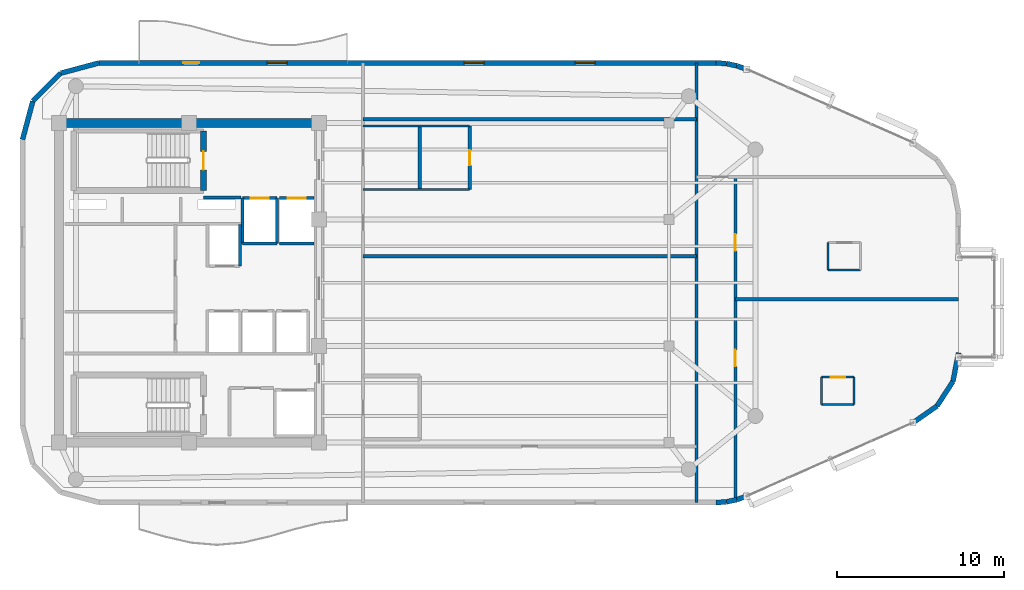
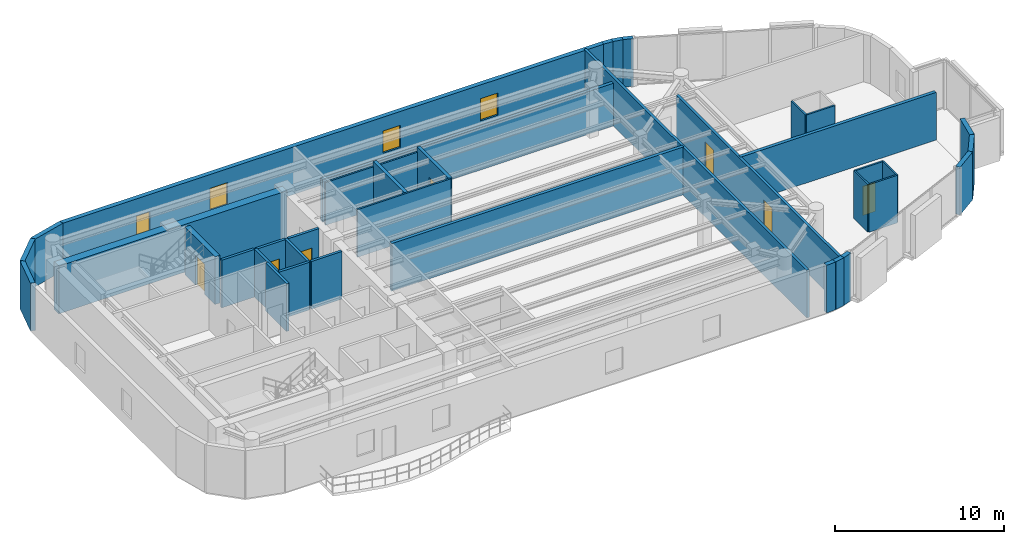
# One storey, part 10 of 13: 38 walls, 8 doors, 3 windows, 11 openings.
"""IFC4 building model written with IfcOpenShell, lengths in metres."""

from ifc_helpers import new_model, si_unit, direction, frame, frame_2d, origin, place, context, subcontext, project, spatial, rectangle, extrude, material, layer, layer_set, type_object, element, fill, save


model = new_model("IFC4")

# Units and contexts
model_context = context("Model", 3, precision=1e-05, world=origin(), true_north=direction((0.0, 1.0)))
body_context = subcontext(model_context, "Body", "Model", "MODEL_VIEW")
ifc_project = project(units=[si_unit("LENGTHUNIT", "METRE"), si_unit("AREAUNIT", "SQUARE_METRE"), si_unit("VOLUMEUNIT", "CUBIC_METRE"), si_unit("PLANEANGLEUNIT", "RADIAN"), si_unit("MASSUNIT", "GRAM", prefix="KILO")], contexts=[model_context])

# Site, building, storey
site_placement = place(None, origin())
site = spatial("IfcSite", under=ifc_project, at=site_placement, CompositionType="ELEMENT")
building_placement = place(site_placement, origin())
building = spatial("IfcBuilding", under=site, at=building_placement, Name="An Khanh Terracotta Commons", CompositionType="ELEMENT")
storey_placement = place(building_placement, frame((0.0, 0.0, 266.10009765625)))
storey = spatial("IfcBuildingStorey", under=building, at=storey_placement, Name="L69", CompositionType="ELEMENT", Elevation=266.10009765625)

# Walls
ifc_material_1 = material(Name="Concrete C50/60", Category="concrete")
ifc_layer_1 = layer(ifc_material_1, 0.550048828125, Name="Concrete C50/60")
ifc_layer_set_1 = layer_set([ifc_layer_1], Name="Concrete C50/60")
wall_type_1 = type_object("IfcWallType", Name="WALL-CORE-550", PredefinedType="SHEAR", material=ifc_layer_set_1)
wall_1_placement = place(storey_placement, frame((21.60009765625, 33.60009765625, 0.0), z_axis=(0.0, 0.0, 1.0), x_axis=(1.0, 0.0, 0.0)))
element("IfcWall", 1, at=wall_1_placement, inside=storey, type_object=wall_type_1, Name="L69 Core Wall CWALL-L69-N", PredefinedType="SHEAR", context=body_context, shape_type="SweptSolid", body=[
    extrude(rectangle(XDim=15.599853515625, YDim=0.550048828125, at=frame_2d((7.7998046875, 0.0))), origin(), (0.0, 0.0, 1.0), 3.449951171875),
])
ifc_material_2 = material(Name="Fire-Rated Gypsum Board on Steel Stud", Category="steel")
ifc_layer_2 = layer(ifc_material_2, 0.179931640625, Name="Fire-Rated Gypsum Board on Steel Stud")
ifc_layer_set_2 = layer_set([ifc_layer_2], Name="Fire-Rated Gypsum Board on Steel Stud")
wall_type_2 = type_object("IfcWallType", Name="WALL-CORR-180", PredefinedType="PARTITIONING", material=ifc_layer_set_2)
wall_2_placement = place(storey_placement, frame((30.27001953125, 29.1201171875, 0.0), z_axis=(0.0, 0.0, 1.0), x_axis=(1.0, 0.0, 0.0)))
element("IfcWall", 2, at=wall_2_placement, inside=storey, type_object=wall_type_2, Name="L69 Core Wall FFLW-L69-S", PredefinedType="PARTITIONING", context=body_context, shape_type="SweptSolid", body=[
    extrude(rectangle(XDim=2.239990234375, YDim=0.179931640625, at=frame_2d((1.1201171875, 0.0))), origin(), (0.0, 0.0, 1.0), 3.449951171875),
])

# Wall, opening, door
wall_3_placement = place(storey_placement, frame((32.60009765625, 29.080078125, 0.0), z_axis=(0.0, 0.0, 1.0), x_axis=(1.0, 0.0, 0.0)))
wall_3 = element("IfcWall", 3, at=wall_3_placement, inside=storey, type_object=wall_type_2, Name="L69 Core Wall LSH-L69-FFL-01-N", PredefinedType="PARTITIONING", context=body_context, shape_type="SweptSolid", body=[
    extrude(rectangle(XDim=2.079833984375, YDim=0.179931640625, at=frame_2d((1.0400390625, 0.0))), origin(), (0.0, 0.0, 1.0), 3.449951171875),
])
opening_1_placement = place(wall_3_placement, frame((0.489990234375, 0.0, 0.0)))
opening_1 = element("IfcOpeningElement", 4, at=opening_1_placement, cuts=wall_3, Name="Opening LD-FFL-01-L69", PredefinedType="OPENING", context=body_context, shape_type="SweptSolid", body=[
    extrude(rectangle(XDim=1.10009765625, YDim=2.199951171875, at=frame_2d((0.550048828125, 1.10009765625))), frame((0.0, 0.099853515625, 0.0), z_axis=(0.0, -1.0, 0.0), x_axis=(1.0, 0.0, 0.0)), (0.0, 0.0, 1.0), 0.199951171875),
])
ifc_material_3 = material(Name="Brushed Stainless Steel Fire Landing Door", Category="steel")
door_type_1 = type_object("IfcDoorType", Name="DOOR-LD-FFL-1100", OperationType="NOTDEFINED", PredefinedType="DOOR", material=ifc_material_3)
door_1_placement = place(opening_1_placement, origin())
door_1 = element("IfcDoor", 5, at=door_1_placement, inside=storey, type_object=door_type_1, Name="L69 Lift FFL-01 Sliding Landing Door", OperationType="DOUBLE_DOOR_SLIDING", OverallHeight=2.199951171875, OverallWidth=1.10009765625, PredefinedType="DOOR", context=body_context, shape_type="SweptSolid", body=[
    extrude(rectangle(XDim=1.10009765625, YDim=2.199951171875, at=frame_2d((0.550048828125, 1.10009765625))), frame((0.0, 0.02490234375, 0.0), z_axis=(0.0, -1.0, 0.0), x_axis=(1.0, 0.0, 0.0)), (0.0, 0.0, 1.0), 0.050048828125),
])
fill(opening_1, door_1)

# Walls
wall_4_placement = place(storey_placement, frame((34.679931640625, 26.35009765625, 0.0), z_axis=(0.0, 0.0, 1.0), x_axis=(-1.0, 0.0, 0.0)))
element("IfcWall", 6, at=wall_4_placement, inside=storey, type_object=wall_type_2, Name="L69 Core Wall LSH-L69-FFL-01-S", PredefinedType="PARTITIONING", context=body_context, shape_type="SweptSolid", body=[
    extrude(rectangle(XDim=2.079833984375, YDim=0.179931640625, at=frame_2d((1.0400390625, 0.0))), origin(), (0.0, 0.0, 1.0), 3.449951171875),
])
for number, where, z_axis, x_axis, name in (
    (7, (34.679931640625, 26.35009765625, 0.0), (0.0, 0.0, 1.0), (0.0, 1.0, 0.0), "L69 Core Wall LSH-L69-FFL-01-E"),
    (8, (32.60009765625, 29.080078125, 0.0), (0.0, 0.0, 1.0), (0.0, -1.0, 0.0), "L69 Core Wall LSH-L69-FFL-01-W"),
):
    element("IfcWall", number, at=place(storey_placement, frame(where, z_axis=z_axis, x_axis=x_axis)), inside=storey, type_object=wall_type_2, Name=name, PredefinedType="PARTITIONING", context=body_context, shape_type="SweptSolid", body=[
        extrude(rectangle(XDim=2.72998046875, YDim=0.179931640625, at=frame_2d((1.364990234375, 0.0))), origin(), (0.0, 0.0, 1.0), 3.449951171875),
    ])

# Wall, opening, door
wall_5_placement = place(storey_placement, frame((34.820068359375, 29.080078125, 0.0), z_axis=(0.0, 0.0, 1.0), x_axis=(1.0, 0.0, 0.0)))
wall_5 = element("IfcWall", 9, at=wall_5_placement, inside=storey, type_object=wall_type_2, Name="L69 Core Wall LSH-L69-FFL-02-N", PredefinedType="PARTITIONING", context=body_context, shape_type="SweptSolid", body=[
    extrude(rectangle(XDim=2.079833984375, YDim=0.179931640625, at=frame_2d((1.0400390625, 0.0))), origin(), (0.0, 0.0, 1.0), 3.449951171875),
])
opening_2_placement = place(wall_5_placement, frame((0.489990234375, 0.0, 0.0)))
opening_2 = element("IfcOpeningElement", 10, at=opening_2_placement, cuts=wall_5, Name="Opening LD-FFL-02-L69", PredefinedType="OPENING", context=body_context, shape_type="SweptSolid", body=[
    extrude(rectangle(XDim=1.10009765625, YDim=2.199951171875, at=frame_2d((0.550048828125, 1.10009765625))), frame((0.0, 0.099853515625, 0.0), z_axis=(0.0, -1.0, 0.0), x_axis=(1.0, 0.0, 0.0)), (0.0, 0.0, 1.0), 0.199951171875),
])
door_2_placement = place(opening_2_placement, origin())
door_2 = element("IfcDoor", 11, at=door_2_placement, inside=storey, type_object=door_type_1, Name="L69 Lift FFL-02 Sliding Landing Door", OperationType="DOUBLE_DOOR_SLIDING", OverallHeight=2.199951171875, OverallWidth=1.10009765625, PredefinedType="DOOR", context=body_context, shape_type="SweptSolid", body=[
    extrude(rectangle(XDim=1.10009765625, YDim=2.199951171875, at=frame_2d((0.550048828125, 1.10009765625))), frame((0.0, 0.02490234375, 0.0), z_axis=(0.0, -1.0, 0.0), x_axis=(1.0, 0.0, 0.0)), (0.0, 0.0, 1.0), 0.050048828125),
])
fill(opening_2, door_2)

# Walls
wall_6_placement = place(storey_placement, frame((36.89990234375, 26.35009765625, 0.0), z_axis=(0.0, 0.0, 1.0), x_axis=(-1.0, 0.0, 0.0)))
element("IfcWall", 12, at=wall_6_placement, inside=storey, type_object=wall_type_2, Name="L69 Core Wall LSH-L69-FFL-02-S", PredefinedType="PARTITIONING", context=body_context, shape_type="SweptSolid", body=[
    extrude(rectangle(XDim=2.079833984375, YDim=0.179931640625, at=frame_2d((1.0400390625, 0.0))), origin(), (0.0, 0.0, 1.0), 3.449951171875),
])
wall_7_placement = place(storey_placement, frame((32.4599609375, 25.0, 0.0), z_axis=(0.0, 0.0, 1.0), x_axis=(0.0, 1.0, 0.0)))
element("IfcWall", 13, at=wall_7_placement, inside=storey, type_object=wall_type_2, Name="L69 Core Wall LSH-L69-PL-H1-E", PredefinedType="PARTITIONING", context=body_context, shape_type="SweptSolid", body=[
    extrude(rectangle(XDim=2.5, YDim=0.179931640625, at=frame_2d((1.25, 0.0))), origin(), (0.0, 0.0, 1.0), 3.449951171875),
])
wall_8_placement = place(storey_placement, frame((59.85009765625, 10.800048828125, 0.0), z_axis=(0.0, 0.0, 1.0), x_axis=(0.0, 1.0, 0.0)))
element("IfcWall", 14, at=wall_8_placement, inside=storey, type_object=wall_type_2, Name="L69 Interior Partition IW-L69-E014", PredefinedType="PARTITIONING", context=body_context, shape_type="SweptSolid", body=[
    extrude(rectangle(XDim=26.39990234375, YDim=0.179931640625, at=frame_2d((13.199951171875, 0.0))), origin(), (0.0, 0.0, 1.0), 3.449951171875),
])

# Wall, openings, doors
wall_9_placement = place(storey_placement, frame((62.199951171875, 11.1201171875, 0.0), z_axis=(0.0, 0.0, 1.0), x_axis=(0.0, 1.0, 0.0)))
wall_9 = element("IfcWall", 15, at=wall_9_placement, inside=storey, type_object=wall_type_2, Name="L69 Interior Partition IW-L69-E015", PredefinedType="PARTITIONING", context=body_context, shape_type="SweptSolid", body=[
    extrude(rectangle(XDim=19.22998046875, YDim=0.179931640625, at=frame_2d((9.614990234375, 0.0))), origin(), (0.0, 0.0, 1.0), 3.449951171875),
])
opening_3_placement = place(wall_9_placement, frame((14.794921875, 0.0, 0.0)))
opening_3 = element("IfcOpeningElement", 16, at=opening_3_placement, cuts=wall_9, Name="Opening D-UN", PredefinedType="OPENING", context=body_context, shape_type="SweptSolid", body=[
    extrude(rectangle(XDim=1.0, YDim=2.14990234375, at=frame_2d((0.5, 1.074951171875))), frame((0.0, 0.099853515625, 0.0), z_axis=(0.0, -1.0, 0.0), x_axis=(1.0, 0.0, 0.0)), (0.0, 0.0, 1.0), 0.199951171875),
])
opening_4_placement = place(wall_9_placement, frame((7.85595703125, 0.0, 0.0)))
opening_4 = element("IfcOpeningElement", 17, at=opening_4_placement, cuts=wall_9, Name="Opening D-UN", PredefinedType="OPENING", context=body_context, shape_type="SweptSolid", body=[
    extrude(rectangle(XDim=1.0, YDim=2.14990234375, at=frame_2d((0.5, 1.074951171875))), frame((0.0, 0.099853515625, 0.0), z_axis=(0.0, -1.0, 0.0), x_axis=(1.0, 0.0, 0.0)), (0.0, 0.0, 1.0), 0.199951171875),
])
ifc_material_4 = material(Name="Solid-Core Hardwood Acoustic Fire Door", Category="wood")
door_type_2 = type_object("IfcDoorType", Name="DOOR-UNIT-1000", OperationType="NOTDEFINED", PredefinedType="DOOR", material=ifc_material_4)
door_3_placement = place(opening_3_placement, origin())
door_3 = element("IfcDoor", 18, at=door_3_placement, inside=storey, type_object=door_type_2, Name="L69 ENO1 Kitchenette and Studio Apartment Door", OperationType="SINGLE_SWING_RIGHT", OverallHeight=2.14990234375, OverallWidth=1.0, PredefinedType="DOOR", context=body_context, shape_type="SweptSolid", body=[
    extrude(rectangle(XDim=1.0, YDim=2.14990234375, at=frame_2d((0.5, 1.074951171875))), frame((0.0, 0.02490234375, 0.0), z_axis=(0.0, -1.0, 0.0), x_axis=(1.0, 0.0, 0.0)), (0.0, 0.0, 1.0), 0.050048828125),
])
fill(opening_3, door_3)
door_4_placement = place(opening_4_placement, origin())
door_4 = element("IfcDoor", 19, at=door_4_placement, inside=storey, type_object=door_type_2, Name="L69 ENO2 Kitchenette and Studio Apartment Door", OperationType="SINGLE_SWING_LEFT", OverallHeight=2.14990234375, OverallWidth=1.0, PredefinedType="DOOR", context=body_context, shape_type="SweptSolid", body=[
    extrude(rectangle(XDim=1.0, YDim=2.14990234375, at=frame_2d((0.5, 1.074951171875))), frame((0.0, 0.02490234375, 0.0), z_axis=(0.0, -1.0, 0.0), x_axis=(1.0, 0.0, 0.0)), (0.0, 0.0, 1.0), 0.050048828125),
])
fill(opening_4, door_4)

# Walls
ifc_material_5 = material(Name="Precast concrete C40/50", Category="concrete")
ifc_layer_3 = layer(ifc_material_5, 0.300048828125, Name="Precast concrete C40/50")
ifc_layer_set_3 = layer_set([ifc_layer_3], Name="Precast concrete C40/50")
wall_type_3 = type_object("IfcWallType", Name="WALL-EXT-300", PredefinedType="SOLIDWALL", material=ifc_layer_set_3)
wall_10_placement = place(storey_placement, frame((61.030029296875, 10.800048828125, 0.0), z_axis=(0.0, 0.0, 1.0), x_axis=(0.997613959688, 0.069039028352, 0.0)))
element("IfcWall", 20, at=wall_10_placement, inside=storey, type_object=wall_type_3, Name="L69 Insulated Terracotta Exterior Wall 5", PredefinedType="SOLIDWALL", context=body_context, shape_type="SweptSolid", body=[
    extrude(rectangle(XDim=0.636474609375, YDim=0.300048828125, at=frame_2d((0.318359375, 0.0))), origin(), (0.0, 0.0, 1.0), 3.449951171875),
])
wall_11_placement = place(storey_placement, frame((61.6650390625, 10.843994140625, 0.0), z_axis=(0.0, 0.0, 1.0), x_axis=(0.97857012251, 0.205913854149, 0.0)))
element("IfcWall", 21, at=wall_11_placement, inside=storey, type_object=wall_type_3, Name="L69 Insulated Terracotta Exterior Wall 6", PredefinedType="SOLIDWALL", context=body_context, shape_type="SweptSolid", body=[
    extrude(rectangle(XDim=0.63671875, YDim=0.300048828125, at=frame_2d((0.318359375, 0.0))), origin(), (0.0, 0.0, 1.0), 3.449951171875),
])
wall_12_placement = place(storey_placement, frame((62.2880859375, 10.97509765625, 0.0), z_axis=(0.0, 0.0, 1.0), x_axis=(0.94077491148, 0.339031806665, 0.0)))
element("IfcWall", 22, at=wall_12_placement, inside=storey, type_object=wall_type_3, Name="L69 Insulated Terracotta Exterior Wall 7", PredefinedType="SOLIDWALL", context=body_context, shape_type="SweptSolid", body=[
    extrude(rectangle(XDim=0.636474609375, YDim=0.300048828125, at=frame_2d((0.318359375, 0.0))), origin(), (0.0, 0.0, 1.0), 3.449951171875),
])
wall_13_placement = place(storey_placement, frame((72.85693359375, 15.590087890625, 0.0), z_axis=(0.0, 0.0, 1.0), x_axis=(0.821006966142, 0.570918174124, 0.0)))
element("IfcWall", 23, at=wall_13_placement, inside=storey, type_object=wall_type_3, Name="L69 Insulated Terracotta Exterior Wall 9", PredefinedType="SOLIDWALL", context=body_context, shape_type="SweptSolid", body=[
    extrude(rectangle(XDim=1.760009765625, YDim=0.300048828125, at=frame_2d((0.8798828125, 0.0))), origin(), (0.0, 0.0, 1.0), 3.449951171875),
])
for number, where, z_axis, x_axis, name in (
    (24, (74.302001953125, 16.594970703125, 0.0), (0.0, 0.0, 1.0), (0.545836224831, 0.837891887813, 0.0), "L69 Insulated Terracotta Exterior Wall 10"),
    (25, (75.262939453125, 18.070068359375, 0.0), (0.0, 0.0, 1.0), (0.1915005851, 0.981492499159, 0.0), "L69 Insulated Terracotta Exterior Wall 11"),
):
    element("IfcWall", number, at=place(storey_placement, frame(where, z_axis=z_axis, x_axis=x_axis)), inside=storey, type_object=wall_type_3, Name=name, PredefinedType="SOLIDWALL", context=body_context, shape_type="SweptSolid", body=[
        extrude(rectangle(XDim=1.760498046875, YDim=0.300048828125, at=frame_2d((0.88037109375, 0.0))), origin(), (0.0, 0.0, 1.0), 3.449951171875),
    ])
wall_14_placement = place(storey_placement, frame((62.886962890625, 36.80908203125, 0.0), z_axis=(0.0, 0.0, 1.0), x_axis=(-0.94077491148, 0.339031806665, 0.0)))
element("IfcWall", 26, at=wall_14_placement, inside=storey, type_object=wall_type_3, Name="L69 Insulated Terracotta Exterior Wall 17", PredefinedType="SOLIDWALL", context=body_context, shape_type="SweptSolid", body=[
    extrude(rectangle(XDim=0.636474609375, YDim=0.300048828125, at=frame_2d((0.318359375, 0.0))), origin(), (0.0, 0.0, 1.0), 3.449951171875),
])
wall_15_placement = place(storey_placement, frame((62.2880859375, 37.02490234375, 0.0), z_axis=(0.0, 0.0, 1.0), x_axis=(-0.97857012251, 0.205913854149, 0.0)))
element("IfcWall", 27, at=wall_15_placement, inside=storey, type_object=wall_type_3, Name="L69 Insulated Terracotta Exterior Wall 18", PredefinedType="SOLIDWALL", context=body_context, shape_type="SweptSolid", body=[
    extrude(rectangle(XDim=0.63671875, YDim=0.300048828125, at=frame_2d((0.318359375, 0.0))), origin(), (0.0, 0.0, 1.0), 3.449951171875),
])
wall_16_placement = place(storey_placement, frame((61.6650390625, 37.156005859375, 0.0), z_axis=(0.0, 0.0, 1.0), x_axis=(-0.997613959688, 0.069039028352, 0.0)))
element("IfcWall", 28, at=wall_16_placement, inside=storey, type_object=wall_type_3, Name="L69 Insulated Terracotta Exterior Wall 19", PredefinedType="SOLIDWALL", context=body_context, shape_type="SweptSolid", body=[
    extrude(rectangle(XDim=0.636474609375, YDim=0.300048828125, at=frame_2d((0.318359375, 0.0))), origin(), (0.0, 0.0, 1.0), 3.449951171875),
])

# Wall, openings, door, windows
wall_17_placement = place(storey_placement, frame((61.030029296875, 37.199951171875, 0.0), z_axis=(0.0, 0.0, 1.0), x_axis=(-1.0, 0.0, 0.0)))
wall_17 = element("IfcWall", 29, at=wall_17_placement, inside=storey, type_object=wall_type_3, Name="L69 Insulated Terracotta Exterior Wall 20", PredefinedType="SOLIDWALL", context=body_context, shape_type="SweptSolid", body=[
    extrude(rectangle(XDim=37.030029296875, YDim=0.300048828125, at=frame_2d((18.51513671875, 0.0))), origin(), (0.0, 0.0, 1.0), 3.449951171875),
])
opening_5_placement = place(wall_17_placement, frame((31.030029296875, 0.0, 0.0)))
opening_5 = element("IfcOpeningElement", 30, at=opening_5_placement, cuts=wall_17, Name="Opening D-BAL", PredefinedType="OPENING", context=body_context, shape_type="SweptSolid", body=[
    extrude(rectangle(XDim=0.949951171875, YDim=2.199951171875, at=frame_2d((0.47509765625, 1.10009765625))), frame((0.0, 0.159912109375, 0.0), z_axis=(0.0, -1.0, 0.0), x_axis=(1.0, 0.0, 0.0)), (0.0, 0.0, 1.0), 0.320068359375),
])
opening_6_placement = place(wall_17_placement, frame((7.2470703125, 0.0, 0.85009765625)))
opening_6 = element("IfcOpeningElement", 31, at=opening_6_placement, cuts=wall_17, Name="Opening W-05", PredefinedType="OPENING", context=body_context, shape_type="SweptSolid", body=[
    extrude(rectangle(XDim=1.199951171875, YDim=1.60009765625, at=frame_2d((0.60009765625, 0.800048828125))), frame((0.0, 0.159912109375, 0.0), z_axis=(0.0, -1.0, 0.0), x_axis=(1.0, 0.0, 0.0)), (0.0, 0.0, 1.0), 0.320068359375),
])
opening_7_placement = place(wall_17_placement, frame((13.9130859375, 0.0, 0.85009765625)))
opening_7 = element("IfcOpeningElement", 32, at=opening_7_placement, cuts=wall_17, Name="Opening W-05", PredefinedType="OPENING", context=body_context, shape_type="SweptSolid", body=[
    extrude(rectangle(XDim=1.199951171875, YDim=1.60009765625, at=frame_2d((0.60009765625, 0.800048828125))), frame((0.0, 0.159912109375, 0.0), z_axis=(0.0, -1.0, 0.0), x_axis=(1.0, 0.0, 0.0)), (0.0, 0.0, 1.0), 0.320068359375),
])
opening_8_placement = place(wall_17_placement, frame((25.7470703125, 0.0, 0.85009765625)))
opening_8 = element("IfcOpeningElement", 33, at=opening_8_placement, cuts=wall_17, Name="Opening W-05", PredefinedType="OPENING", context=body_context, shape_type="SweptSolid", body=[
    extrude(rectangle(XDim=1.199951171875, YDim=1.60009765625, at=frame_2d((0.60009765625, 0.800048828125))), frame((0.0, 0.159912109375, 0.0), z_axis=(0.0, -1.0, 0.0), x_axis=(1.0, 0.0, 0.0)), (0.0, 0.0, 1.0), 0.320068359375),
])
ifc_material_6 = material(Name="Thermally Broken Aluminium and Low-E Glass", Category="aluminium")
door_type_3 = type_object("IfcDoorType", Name="DOOR-BALC-950", OperationType="NOTDEFINED", PredefinedType="DOOR", material=ifc_material_6)
door_5_placement = place(opening_5_placement, origin())
door_5 = element("IfcDoor", 34, at=door_5_placement, inside=storey, type_object=door_type_3, Name="L69 N Wave Balcony Glazed Door", OperationType="SINGLE_SWING_RIGHT", OverallHeight=2.199951171875, OverallWidth=0.949951171875, PredefinedType="DOOR", context=body_context, shape_type="SweptSolid", body=[
    extrude(rectangle(XDim=0.949951171875, YDim=2.199951171875, at=frame_2d((0.47509765625, 1.10009765625))), frame((0.0, 0.02490234375, 0.0), z_axis=(0.0, -1.0, 0.0), x_axis=(1.0, 0.0, 0.0)), (0.0, 0.0, 1.0), 0.050048828125),
])
fill(opening_5, door_5)
window_type = type_object("IfcWindowType", Name="WIN-Z5-1200x1600", PartitioningType="SINGLE_PANEL", PredefinedType="WINDOW", material=ifc_material_6)
window_1_placement = place(opening_6_placement, origin())
window_1 = element("IfcWindow", 35, at=window_1_placement, inside=storey, type_object=window_type, Name="L69 Operable Casement Window 20.1", OverallHeight=1.60009765625, OverallWidth=1.199951171875, PartitioningType="SINGLE_PANEL", PredefinedType="WINDOW", context=body_context, shape_type="SweptSolid", body=[
    extrude(rectangle(XDim=1.199951171875, YDim=1.60009765625, at=frame_2d((0.60009765625, 0.800048828125))), frame((0.0, 0.030029296875, 0.0), z_axis=(0.0, -1.0, 0.0), x_axis=(1.0, 0.0, 0.0)), (0.0, 0.0, 1.0), 0.06005859375),
])
fill(opening_6, window_1)
window_2_placement = place(opening_7_placement, origin())
window_2 = element("IfcWindow", 36, at=window_2_placement, inside=storey, type_object=window_type, Name="L69 Operable Casement Window 20.2", OverallHeight=1.60009765625, OverallWidth=1.199951171875, PartitioningType="SINGLE_PANEL", PredefinedType="WINDOW", context=body_context, shape_type="SweptSolid", body=[
    extrude(rectangle(XDim=1.199951171875, YDim=1.60009765625, at=frame_2d((0.60009765625, 0.800048828125))), frame((0.0, 0.030029296875, 0.0), z_axis=(0.0, -1.0, 0.0), x_axis=(1.0, 0.0, 0.0)), (0.0, 0.0, 1.0), 0.06005859375),
])
fill(opening_7, window_2)
window_3_placement = place(opening_8_placement, origin())
window_3 = element("IfcWindow", 37, at=window_3_placement, inside=storey, type_object=window_type, Name="L69 Operable Casement Window 20.3", OverallHeight=1.60009765625, OverallWidth=1.199951171875, PartitioningType="SINGLE_PANEL", PredefinedType="WINDOW", context=body_context, shape_type="SweptSolid", body=[
    extrude(rectangle(XDim=1.199951171875, YDim=1.60009765625, at=frame_2d((0.60009765625, 0.800048828125))), frame((0.0, 0.030029296875, 0.0), z_axis=(0.0, -1.0, 0.0), x_axis=(1.0, 0.0, 0.0)), (0.0, 0.0, 1.0), 0.06005859375),
])
fill(opening_8, window_3)

# Walls
wall_18_placement = place(storey_placement, frame((24.0, 37.199951171875, 0.0), z_axis=(0.0, 0.0, 1.0), x_axis=(-0.965960405575, -0.25868995895, 0.0)))
element("IfcWall", 38, at=wall_18_placement, inside=storey, type_object=wall_type_3, Name="L69 Insulated Terracotta Exterior Wall 21", PredefinedType="SOLIDWALL", context=body_context, shape_type="SweptSolid", body=[
    extrude(rectangle(XDim=2.381103515625, YDim=0.300048828125, at=frame_2d((1.1904296875, 0.0))), origin(), (0.0, 0.0, 1.0), 3.449951171875),
])
wall_19_placement = place(storey_placement, frame((21.699951171875, 36.583984375, 0.0), z_axis=(0.0, 0.0, 1.0), x_axis=(-0.707055521135, -0.707158037522, 0.0)))
element("IfcWall", 39, at=wall_19_placement, inside=storey, type_object=wall_type_3, Name="L69 Insulated Terracotta Exterior Wall 22", PredefinedType="SOLIDWALL", context=body_context, shape_type="SweptSolid", body=[
    extrude(rectangle(XDim=2.381591796875, YDim=0.300048828125, at=frame_2d((1.19091796875, 0.0))), origin(), (0.0, 0.0, 1.0), 3.449951171875),
])
wall_20_placement = place(storey_placement, frame((20.01611328125, 34.89990234375, 0.0), z_axis=(0.0, 0.0, 1.0), x_axis=(-0.258811258154, -0.965927912762, 0.0)))
element("IfcWall", 40, at=wall_20_placement, inside=storey, type_object=wall_type_3, Name="L69 Insulated Terracotta Exterior Wall 23", PredefinedType="SOLIDWALL", context=body_context, shape_type="SweptSolid", body=[
    extrude(rectangle(XDim=2.380859375, YDim=0.300048828125, at=frame_2d((1.1904296875, 0.0))), origin(), (0.0, 0.0, 1.0), 3.449951171875),
])
ifc_material_7 = material(Name="Acoustic Double-Stud Gypsum and Mineral Wool")
ifc_layer_4 = layer(ifc_material_7, 0.219970703125, Name="Acoustic Double-Stud Gypsum and Mineral Wool")
ifc_layer_set_4 = layer_set([ifc_layer_4], Name="Acoustic Double-Stud Gypsum and Mineral Wool")
wall_type_4 = type_object("IfcWallType", Name="WALL-PARTY-220", PredefinedType="PARTITIONING", material=ifc_layer_set_4)
wall_21_placement = place(storey_placement, frame((62.199951171875, 23.0, 0.0), z_axis=(0.0, 0.0, 1.0), x_axis=(1.0, 0.0, 0.0)))
element("IfcWall", 41, at=wall_21_placement, inside=storey, type_object=wall_type_4, Name="L69 Interior Partition IW-L69-E004", PredefinedType="PARTITIONING", context=body_context, shape_type="SweptSolid", body=[
    extrude(rectangle(XDim=13.400146484375, YDim=0.219970703125, at=frame_2d((6.7001953125, 0.0))), origin(), (0.0, 0.0, 1.0), 3.449951171875),
])
wall_22_placement = place(storey_placement, frame((39.85009765625, 25.60009765625, 0.0), z_axis=(0.0, 0.0, 1.0), x_axis=(1.0, 0.0, 0.0)))
element("IfcWall", 42, at=wall_22_placement, inside=storey, type_object=wall_type_4, Name="L69 Interior Partition IW-L69-E005", PredefinedType="PARTITIONING", context=body_context, shape_type="SweptSolid", body=[
    extrude(rectangle(XDim=20.0, YDim=0.219970703125, at=frame_2d((10.0, 0.0))), origin(), (0.0, 0.0, 1.0), 3.449951171875),
])
wall_23_placement = place(storey_placement, frame((39.85009765625, 33.820068359375, 0.0), z_axis=(0.0, 0.0, 1.0), x_axis=(1.0, 0.0, 0.0)))
element("IfcWall", 43, at=wall_23_placement, inside=storey, type_object=wall_type_4, Name="L69 Interior Partition IW-L69-E009", PredefinedType="PARTITIONING", context=body_context, shape_type="SweptSolid", body=[
    extrude(rectangle(XDim=20.0, YDim=0.219970703125, at=frame_2d((10.0, 0.0))), origin(), (0.0, 0.0, 1.0), 3.091796875),
])
wall_24_placement = place(storey_placement, frame((43.25, 29.60009765625, 0.0), z_axis=(0.0, 0.0, 1.0), x_axis=(0.0, 1.0, 0.0)))
element("IfcWall", 44, at=wall_24_placement, inside=storey, type_object=wall_type_4, Name="L69 Interior Partition IW-L69-E012", PredefinedType="PARTITIONING", context=body_context, shape_type="SweptSolid", body=[
    extrude(rectangle(XDim=3.7998046875, YDim=0.219970703125, at=frame_2d((1.89990234375, 0.0))), origin(), (0.0, 0.0, 1.0), 3.449951171875),
])

# Wall, opening, door
wall_25_placement = place(storey_placement, frame((46.25, 29.60009765625, 0.0), z_axis=(0.0, 0.0, 1.0), x_axis=(0.0, 1.0, 0.0)))
wall_25 = element("IfcWall", 45, at=wall_25_placement, inside=storey, type_object=wall_type_4, Name="L69 Interior Partition IW-L69-E013", PredefinedType="PARTITIONING", context=body_context, shape_type="SweptSolid", body=[
    extrude(rectangle(XDim=3.7998046875, YDim=0.219970703125, at=frame_2d((1.89990234375, 0.0))), origin(), (0.0, 0.0, 1.0), 3.449951171875),
])
opening_9_placement = place(wall_25_placement, frame((1.43994140625, 0.0, 0.0)))
opening_9 = element("IfcOpeningElement", 46, at=opening_9_placement, cuts=wall_25, Name="Opening D-RM", PredefinedType="OPENING", context=body_context, shape_type="SweptSolid", body=[
    extrude(rectangle(XDim=0.919921875, YDim=2.10009765625, at=frame_2d((0.4599609375, 1.050048828125))), frame((0.0, 0.119873046875, 0.0), z_axis=(0.0, -1.0, 0.0), x_axis=(1.0, 0.0, 0.0)), (0.0, 0.0, 1.0), 0.239990234375),
])
ifc_material_8 = material(Name="Engineered Hardwood Timber Leaf", Category="wood")
door_type_4 = type_object("IfcDoorType", Name="DOOR-INT-920", OperationType="NOTDEFINED", PredefinedType="DOOR", material=ifc_material_8)
door_6_placement = place(opening_9_placement, origin())
door_6 = element("IfcDoor", 47, at=door_6_placement, inside=storey, type_object=door_type_4, Name="L69 HKP Housekeeping Linen Store Door", OperationType="SINGLE_SWING_RIGHT", OverallHeight=2.10009765625, OverallWidth=0.919921875, PredefinedType="DOOR", context=body_context, shape_type="SweptSolid", body=[
    extrude(rectangle(XDim=0.919921875, YDim=2.10009765625, at=frame_2d((0.4599609375, 1.050048828125))), frame((0.0, 0.02490234375, 0.0), z_axis=(0.0, -1.0, 0.0), x_axis=(1.0, 0.0, 0.0)), (0.0, 0.0, 1.0), 0.050048828125),
])
fill(opening_9, door_6)

ifc_layer_5 = layer(ifc_material_1, 0.35009765625, Name="Concrete C50/60")
ifc_layer_set_5 = layer_set([ifc_layer_5], Name="Concrete C50/60")
wall_type_5 = type_object("IfcWallType", Name="WALL-SHAFT-350", PredefinedType="SOLIDWALL", material=ifc_layer_set_5)
wall_26_placement = place(storey_placement, frame((30.27001953125, 29.530029296875, 0.0), z_axis=(0.0, 0.0, 1.0), x_axis=(0.0, 1.0, 0.0)))
wall_26 = element("IfcWall", 48, at=wall_26_placement, inside=storey, type_object=wall_type_5, Name="L69 Core Wall STW-L69-N-E", PredefinedType="SOLIDWALL", context=body_context, shape_type="SweptSolid", body=[
    extrude(rectangle(XDim=3.580078125, YDim=0.35009765625, at=frame_2d((1.7900390625, 0.0))), origin(), (0.0, 0.0, 1.0), 3.449951171875),
])
opening_10_placement = place(wall_26_placement, frame((1.25, 0.0, 0.0)))
opening_10 = element("IfcOpeningElement", 49, at=opening_10_placement, cuts=wall_26, Name="Opening D-ST", PredefinedType="OPENING", context=body_context, shape_type="SweptSolid", body=[
    extrude(rectangle(XDim=1.10009765625, YDim=2.14990234375, at=frame_2d((0.550048828125, 1.074951171875))), frame((0.0, 0.18505859375, 0.0), z_axis=(0.0, -1.0, 0.0), x_axis=(1.0, 0.0, 0.0)), (0.0, 0.0, 1.0), 0.3701171875),
])
ifc_material_9 = material(Name="Fire-Rated Steel Leaf and Frame", Category="steel")
door_type_5 = type_object("IfcDoorType", Name="DOOR-STAIR-1100", OperationType="NOTDEFINED", PredefinedType="DOOR", material=ifc_material_9)
door_7_placement = place(opening_10_placement, origin())
door_7 = element("IfcDoor", 50, at=door_7_placement, inside=storey, type_object=door_type_5, Name="L69 Stair ST-01 Fire Door", OperationType="SINGLE_SWING_RIGHT", OverallHeight=2.14990234375, OverallWidth=1.10009765625, PredefinedType="DOOR", context=body_context, shape_type="SweptSolid", body=[
    extrude(rectangle(XDim=1.10009765625, YDim=2.14990234375, at=frame_2d((0.550048828125, 1.074951171875))), frame((0.0, 0.02490234375, 0.0), z_axis=(0.0, -1.0, 0.0), x_axis=(1.0, 0.0, 0.0)), (0.0, 0.0, 1.0), 0.050048828125),
])
fill(opening_10, door_7)

# Walls
ifc_material_10 = material(Name="Moisture-Resistant Cement Board Partition")
ifc_layer_6 = layer(ifc_material_10, 0.1201171875, Name="Moisture-Resistant Cement Board Partition")
ifc_layer_set_6 = layer_set([ifc_layer_6], Name="Moisture-Resistant Cement Board Partition")
wall_type_6 = type_object("IfcWallType", Name="WALL-WET-120", PredefinedType="PARTITIONING", material=ifc_layer_set_6)
wall_27_placement = place(storey_placement, frame((69.715087890625, 24.760986328125, 0.0), z_axis=(0.0, 0.0, 1.0), x_axis=(-1.0, 0.0, 0.0)))
element("IfcWall", 51, at=wall_27_placement, inside=storey, type_object=wall_type_6, Name="L69 Interior Partition IW-L69-ENO1-BS", PredefinedType="PARTITIONING", context=body_context, shape_type="SweptSolid", body=[
    extrude(rectangle(XDim=1.9501953125, YDim=0.1201171875, at=frame_2d((0.97509765625, 0.0))), origin(), (0.0, 0.0, 1.0), 3.449951171875),
])
wall_28_placement = place(storey_placement, frame((67.764892578125, 26.410888671875, 0.0), z_axis=(0.0, 0.0, 1.0), x_axis=(0.0, -1.0, 0.0)))
element("IfcWall", 52, at=wall_28_placement, inside=storey, type_object=wall_type_6, Name="L69 Interior Partition IW-L69-ENO1-BW", PredefinedType="PARTITIONING", context=body_context, shape_type="SweptSolid", body=[
    extrude(rectangle(XDim=1.64990234375, YDim=0.1201171875, at=frame_2d((0.824951171875, 0.0))), origin(), (0.0, 0.0, 1.0), 3.449951171875),
])

# Wall, opening, door
wall_29_placement = place(storey_placement, frame((67.382080078125, 18.33203125, 0.0), z_axis=(0.0, 0.0, 1.0), x_axis=(1.0, 0.0, 0.0)))
wall_29 = element("IfcWall", 53, at=wall_29_placement, inside=storey, type_object=wall_type_6, Name="L69 Interior Partition IW-L69-ENO2-BN", PredefinedType="PARTITIONING", context=body_context, shape_type="SweptSolid", body=[
    extrude(rectangle(XDim=1.949951171875, YDim=0.1201171875, at=frame_2d((0.97509765625, 0.0))), origin(), (0.0, 0.0, 1.0), 3.449951171875),
])
opening_11_placement = place(wall_29_placement, frame((0.544921875, 0.0, 0.0)))
opening_11 = element("IfcOpeningElement", 54, at=opening_11_placement, cuts=wall_29, Name="Opening D-ENS", PredefinedType="OPENING", context=body_context, shape_type="SweptSolid", body=[
    extrude(rectangle(XDim=0.860107421875, YDim=2.10009765625, at=frame_2d((0.43017578125, 1.050048828125))), frame((0.0, 0.070068359375, 0.0), z_axis=(0.0, -1.0, 0.0), x_axis=(1.0, 0.0, 0.0)), (0.0, 0.0, 1.0), 0.14013671875),
])
ifc_material_11 = material(Name="Moisture-Resistant Hardwood Timber Leaf", Category="wood")
door_type_6 = type_object("IfcDoorType", Name="DOOR-BATH-860", OperationType="NOTDEFINED", PredefinedType="DOOR", material=ifc_material_11)
door_8_placement = place(opening_11_placement, origin())
door_8 = element("IfcDoor", 55, at=door_8_placement, inside=storey, type_object=door_type_6, Name="L69 Studio ENO2 En-suite Door", OperationType="SINGLE_SWING_RIGHT", OverallHeight=2.10009765625, OverallWidth=0.860107421875, PredefinedType="DOOR", context=body_context, shape_type="SweptSolid", body=[
    extrude(rectangle(XDim=0.860107421875, YDim=2.10009765625, at=frame_2d((0.43017578125, 1.050048828125))), frame((0.0, 0.02490234375, 0.0), z_axis=(0.0, -1.0, 0.0), x_axis=(1.0, 0.0, 0.0)), (0.0, 0.0, 1.0), 0.050048828125),
])
fill(opening_11, door_8)

# Walls
wall_30_placement = place(storey_placement, frame((69.33203125, 16.681884765625, 0.0), z_axis=(0.0, 0.0, 1.0), x_axis=(-1.0, 0.0, 0.0)))
element("IfcWall", 56, at=wall_30_placement, inside=storey, type_object=wall_type_6, Name="L69 Interior Partition IW-L69-ENO2-BS", PredefinedType="PARTITIONING", context=body_context, shape_type="SweptSolid", body=[
    extrude(rectangle(XDim=1.949951171875, YDim=0.1201171875, at=frame_2d((0.97509765625, 0.0))), origin(), (0.0, 0.0, 1.0), 3.449951171875),
])
for number, where, z_axis, x_axis, name in (
    (57, (67.382080078125, 18.33203125, 0.0), (0.0, 0.0, 1.0), (0.0, -1.0, 0.0), "L69 Interior Partition IW-L69-ENO2-BW"),
    (58, (69.33203125, 16.681884765625, 0.0), (0.0, 0.0, 1.0), (0.0, 1.0, 0.0), "L69 Interior Partition IW-L69-ENO2-BE"),
):
    element("IfcWall", number, at=place(storey_placement, frame(where, z_axis=z_axis, x_axis=x_axis)), inside=storey, type_object=wall_type_6, Name=name, PredefinedType="PARTITIONING", context=body_context, shape_type="SweptSolid", body=[
        extrude(rectangle(XDim=1.650146484375, YDim=0.1201171875, at=frame_2d((0.8251953125, 0.0))), origin(), (0.0, 0.0, 1.0), 3.449951171875),
    ])
wall_31_placement = place(storey_placement, frame((39.85009765625, 29.60009765625, 0.0), z_axis=(0.0, 0.0, 1.0), x_axis=(1.0, 0.0, 0.0)))
element("IfcWall", 59, at=wall_31_placement, inside=storey, type_object=wall_type_6, Name="L69 Interior Partition IW-L69-E006", PredefinedType="PARTITIONING", context=body_context, shape_type="SweptSolid", body=[
    extrude(rectangle(XDim=6.39990234375, YDim=0.1201171875, at=frame_2d((3.199951171875, 0.0))), origin(), (0.0, 0.0, 1.0), 3.449951171875),
])
wall_32_placement = place(storey_placement, frame((39.85009765625, 33.39990234375, 0.0), z_axis=(0.0, 0.0, 1.0), x_axis=(1.0, 0.0, 0.0)))
element("IfcWall", 60, at=wall_32_placement, inside=storey, type_object=wall_type_6, Name="L69 Interior Partition IW-L69-E008", PredefinedType="PARTITIONING", context=body_context, shape_type="SweptSolid", body=[
    extrude(rectangle(XDim=6.39990234375, YDim=0.1201171875, at=frame_2d((3.199951171875, 0.0))), origin(), (0.0, 0.0, 1.0), 3.091796875),
])

save(model, "model.ifc")
